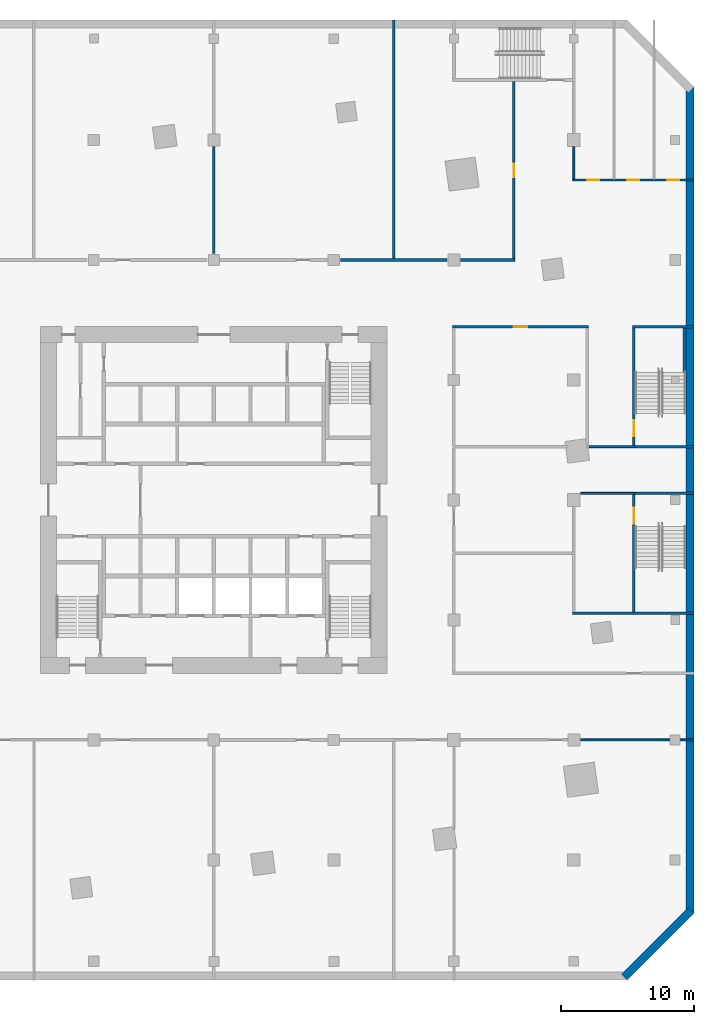
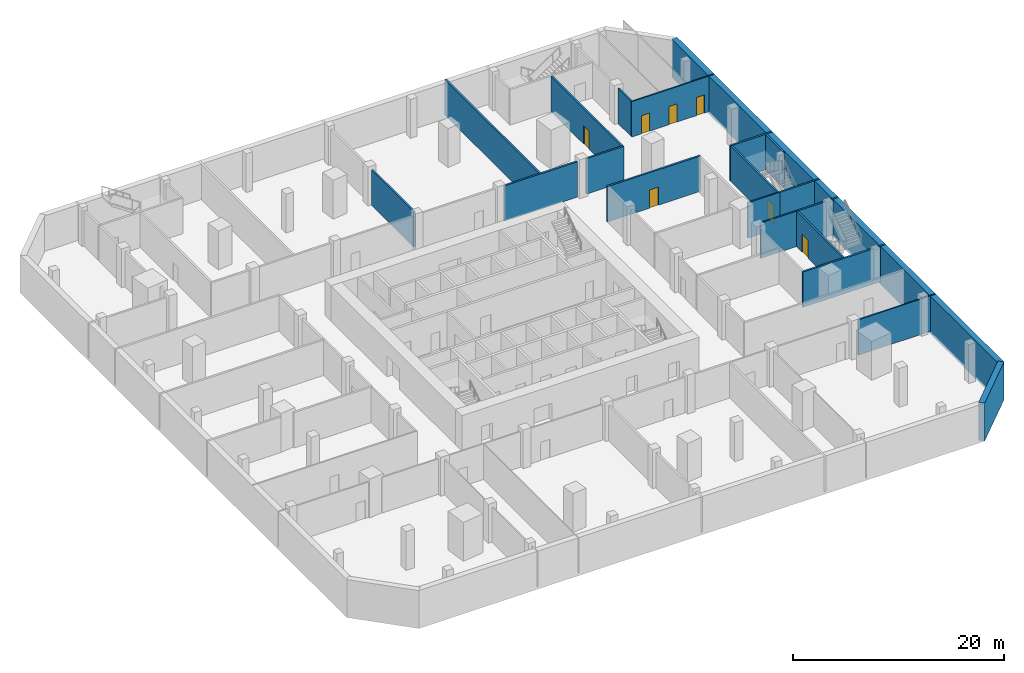
# One storey, part 6 of 11: 20 walls, 7 doors, 7 openings.
"""IFC4 building model written with IfcOpenShell, lengths in metres."""

from ifc_helpers import new_model, si_unit, direction, frame, frame_2d, origin, place, context, subcontext, project, spatial, rectangle, extrude, material, layer, layer_set, type_object, element, fill, save


model = new_model("IFC4")

# Units and contexts
model_context = context("Model", 3, precision=1e-05, world=origin(), true_north=direction((0.0, 1.0)))
body_context = subcontext(model_context, "Body", "Model", "MODEL_VIEW")
ifc_project = project(units=[si_unit("LENGTHUNIT", "METRE"), si_unit("AREAUNIT", "SQUARE_METRE"), si_unit("VOLUMEUNIT", "CUBIC_METRE"), si_unit("PLANEANGLEUNIT", "RADIAN"), si_unit("MASSUNIT", "GRAM", prefix="KILO")], contexts=[model_context])

# Site, building, storey
site_placement = place(None, origin())
site = spatial("IfcSite", under=ifc_project, at=site_placement, CompositionType="ELEMENT")
building_placement = place(site_placement, origin())
building = spatial("IfcBuilding", under=site, at=building_placement, Name="Dilmun Exchange Tower", CompositionType="ELEMENT")
storey_placement = place(building_placement, frame((0.0, 0.0, -4.5)))
storey = spatial("IfcBuildingStorey", under=building, at=storey_placement, Name="B1", CompositionType="ELEMENT", Elevation=-4.5)

# Walls
ifc_material_1 = material(Name="Fire partition EI 60 150 gypsum")
ifc_layer_1 = layer(ifc_material_1, 0.14990234375)
ifc_layer_set_1 = layer_set([ifc_layer_1], Name="Fire partition EI 60 150 gypsum")
wall_type_1 = type_object("IfcWallType", Name="Fire partition EI 60 150 gypsum", PredefinedType="PARTITIONING", material=ifc_layer_set_1)
wall_1_placement = place(storey_placement, frame((27.5, -18.0, 0.0), z_axis=(0.0, 0.0, 1.0), x_axis=(1.0, 0.0, 0.0)))
element("IfcWall", 1, at=wall_1_placement, inside=storey, type_object=wall_type_1, Name="B1 partition", PredefinedType="PARTITIONING", context=body_context, shape_type="SweptSolid", body=[
    extrude(rectangle(XDim=8.5, YDim=0.14990234375, at=frame_2d((4.25, 0.0))), origin(), (0.0, 0.0, 1.0), 4.10009765625),
])
wall_2_placement = place(storey_placement, frame((27.5, 0.5, 0.0), z_axis=(0.0, 0.0, 1.0), x_axis=(1.0, 0.0, 0.0)))
element("IfcWall", 2, at=wall_2_placement, inside=storey, type_object=wall_type_1, Name="B1 partition", PredefinedType="PARTITIONING", context=body_context, shape_type="SweptSolid", body=[
    extrude(rectangle(XDim=4.10009765625, YDim=0.14990234375, at=frame_2d((2.050048828125, 0.0))), origin(), (0.0, 0.0, 1.0), 4.10009765625),
])
wall_3_placement = place(storey_placement, frame((28.10009765625, 4.0, 0.0), z_axis=(0.0, 0.0, 1.0), x_axis=(1.0, 0.0, 0.0)))
element("IfcWall", 3, at=wall_3_placement, inside=storey, type_object=wall_type_1, Name="B1 partition", PredefinedType="PARTITIONING", context=body_context, shape_type="SweptSolid", body=[
    extrude(rectangle(XDim=3.5, YDim=0.14990234375, at=frame_2d((1.75, 0.0))), origin(), (0.0, 0.0, 1.0), 4.10009765625),
])

# Wall, openings, doors
wall_4_placement = place(storey_placement, frame((26.925048828125, 24.0, 0.0), z_axis=(0.0, 0.0, 1.0), x_axis=(1.0, 0.0, 0.0)))
wall_4 = element("IfcWall", 4, at=wall_4_placement, inside=storey, type_object=wall_type_1, Name="B1 partition", PredefinedType="PARTITIONING", context=body_context, shape_type="SweptSolid", body=[
    extrude(rectangle(XDim=9.074951171875, YDim=0.14990234375, at=frame_2d((4.53759765625, 0.0))), origin(), (0.0, 0.0, 1.0), 4.10009765625),
])
opening_1_placement = place(wall_4_placement, frame((1.074951171875, 0.0, 0.0)))
opening_1 = element("IfcOpeningElement", 5, at=opening_1_placement, cuts=wall_4, Name="Opening B1-D005", PredefinedType="OPENING", context=body_context, shape_type="SweptSolid", body=[
    extrude(rectangle(XDim=0.89990234375, YDim=2.10009765625, at=frame_2d((0.449951171875, 1.050048828125))), frame((0.0, 0.0849609375, 0.0), z_axis=(0.0, -1.0, 0.0), x_axis=(1.0, 0.0, 0.0)), (0.0, 0.0, 1.0), 0.169921875),
])
opening_2_placement = place(wall_4_placement, frame((4.074951171875, 0.0, 0.0)))
opening_2 = element("IfcOpeningElement", 6, at=opening_2_placement, cuts=wall_4, Name="Opening B1-D006", PredefinedType="OPENING", context=body_context, shape_type="SweptSolid", body=[
    extrude(rectangle(XDim=0.89990234375, YDim=2.10009765625, at=frame_2d((0.449951171875, 1.050048828125))), frame((0.0, 0.0849609375, 0.0), z_axis=(0.0, -1.0, 0.0), x_axis=(1.0, 0.0, 0.0)), (0.0, 0.0, 1.0), 0.169921875),
])
opening_3_placement = place(wall_4_placement, frame((7.074951171875, 0.0, 0.0)))
opening_3 = element("IfcOpeningElement", 7, at=opening_3_placement, cuts=wall_4, Name="Opening B1-D007", PredefinedType="OPENING", context=body_context, shape_type="SweptSolid", body=[
    extrude(rectangle(XDim=0.89990234375, YDim=2.10009765625, at=frame_2d((0.449951171875, 1.050048828125))), frame((0.0, 0.0849609375, 0.0), z_axis=(0.0, -1.0, 0.0), x_axis=(1.0, 0.0, 0.0)), (0.0, 0.0, 1.0), 0.169921875),
])
ifc_material_2 = material(Name="Door 900 x 2100")
door_type_1 = type_object("IfcDoorType", Name="Door 900 x 2100", OperationType="SINGLE_SWING_LEFT", PredefinedType="DOOR", material=ifc_material_2)
door_1_placement = place(opening_1_placement, origin())
door_1 = element("IfcDoor", 8, at=door_1_placement, inside=storey, type_object=door_type_1, Name="B1 door B1-D005", OperationType="SINGLE_SWING_LEFT", OverallHeight=2.10009765625, OverallWidth=0.89990234375, PredefinedType="DOOR", context=body_context, shape_type="SweptSolid", body=[
    extrude(rectangle(XDim=0.89990234375, YDim=2.10009765625, at=frame_2d((0.449951171875, 1.050048828125))), frame((0.0, 0.02490234375, 0.0), z_axis=(0.0, -1.0, 0.0), x_axis=(1.0, 0.0, 0.0)), (0.0, 0.0, 1.0), 0.050048828125),
])
fill(opening_1, door_1)
door_2_placement = place(opening_2_placement, origin())
door_2 = element("IfcDoor", 9, at=door_2_placement, inside=storey, type_object=door_type_1, Name="B1 door B1-D006", OperationType="SINGLE_SWING_RIGHT", OverallHeight=2.10009765625, OverallWidth=0.89990234375, PredefinedType="DOOR", context=body_context, shape_type="SweptSolid", body=[
    extrude(rectangle(XDim=0.89990234375, YDim=2.10009765625, at=frame_2d((0.449951171875, 1.050048828125))), frame((0.0, 0.02490234375, 0.0), z_axis=(0.0, -1.0, 0.0), x_axis=(1.0, 0.0, 0.0)), (0.0, 0.0, 1.0), 0.050048828125),
])
fill(opening_2, door_2)
door_3_placement = place(opening_3_placement, origin())
door_3 = element("IfcDoor", 10, at=door_3_placement, inside=storey, type_object=door_type_1, Name="B1 door B1-D007", OperationType="SINGLE_SWING_LEFT", OverallHeight=2.10009765625, OverallWidth=0.89990234375, PredefinedType="DOOR", context=body_context, shape_type="SweptSolid", body=[
    extrude(rectangle(XDim=0.89990234375, YDim=2.10009765625, at=frame_2d((0.449951171875, 1.050048828125))), frame((0.0, 0.02490234375, 0.0), z_axis=(0.0, -1.0, 0.0), x_axis=(1.0, 0.0, 0.0)), (0.0, 0.0, 1.0), 0.050048828125),
])
fill(opening_3, door_3)

# Walls
wall_5_placement = place(storey_placement, frame((27.0, 24.074951171875, 0.0), z_axis=(0.0, 0.0, 1.0), x_axis=(0.0, 1.0, 0.0)))
element("IfcWall", 11, at=wall_5_placement, inside=storey, type_object=wall_type_1, Name="B1 partition", PredefinedType="PARTITIONING", context=body_context, shape_type="SweptSolid", body=[
    extrude(rectangle(XDim=2.425048828125, YDim=0.14990234375, at=frame_2d((1.21240234375, 0.0))), origin(), (0.0, 0.0, 1.0), 4.10009765625),
])
ifc_material_3 = material(Name="Fire wall EI 120 200 blockwork", Category="masonry")
ifc_layer_2 = layer(ifc_material_3, 0.199951171875)
ifc_layer_set_2 = layer_set([ifc_layer_2], Name="Fire wall EI 120 200 blockwork")
wall_type_2 = type_object("IfcWallType", Name="Fire wall EI 120 200 blockwork", PredefinedType="PARTITIONING", material=ifc_layer_set_2)
wall_6_placement = place(storey_placement, frame((26.89990234375, -8.5, 0.0), z_axis=(0.0, 0.0, 1.0), x_axis=(1.0, 0.0, 0.0)))
element("IfcWall", 12, at=wall_6_placement, inside=storey, type_object=wall_type_2, Name="B1 stair wall", PredefinedType="PARTITIONING", context=body_context, shape_type="SweptSolid", body=[
    extrude(rectangle(XDim=9.10009765625, YDim=0.199951171875, at=frame_2d((4.550048828125, 0.0))), origin(), (0.0, 0.0, 1.0), 4.10009765625),
])
for number, where, z_axis, x_axis, name in (
    (13, (31.60009765625, 0.5, 0.0), (0.0, 0.0, 1.0), (1.0, 0.0, 0.0), "B1 stair wall"),
    (14, (31.60009765625, 4.0, 0.0), (0.0, 0.0, 1.0), (1.0, 0.0, 0.0), "B1 stair wall"),
):
    element("IfcWall", number, at=place(storey_placement, frame(where, z_axis=z_axis, x_axis=x_axis)), inside=storey, type_object=wall_type_2, Name=name, PredefinedType="PARTITIONING", context=body_context, shape_type="SweptSolid", body=[
        extrude(rectangle(XDim=4.39990234375, YDim=0.199951171875, at=frame_2d((2.199951171875, 0.0))), origin(), (0.0, 0.0, 1.0), 4.10009765625),
    ])

# Wall, opening, door
wall_7_placement = place(storey_placement, frame((17.89990234375, 13.0, 0.0), z_axis=(0.0, 0.0, 1.0), x_axis=(1.0, 0.0, 0.0)))
wall_7 = element("IfcWall", 15, at=wall_7_placement, inside=storey, type_object=wall_type_2, Name="B1 partition", PredefinedType="PARTITIONING", context=body_context, shape_type="SweptSolid", body=[
    extrude(rectangle(XDim=10.2001953125, YDim=0.199951171875, at=frame_2d((5.10009765625, 0.0))), origin(), (0.0, 0.0, 1.0), 4.10009765625),
])
opening_4_placement = place(wall_7_placement, frame((4.60009765625, 0.0, 0.0)))
opening_4 = element("IfcOpeningElement", 16, at=opening_4_placement, cuts=wall_7, Name="Opening B1-D022", PredefinedType="OPENING", context=body_context, shape_type="SweptSolid", body=[
    extrude(rectangle(XDim=1.0, YDim=2.10009765625, at=frame_2d((0.5, 1.050048828125))), frame((0.0, 0.10986328125, 0.0), z_axis=(0.0, -1.0, 0.0), x_axis=(1.0, 0.0, 0.0)), (0.0, 0.0, 1.0), 0.219970703125),
])
ifc_material_4 = material(Name="Fire door FD60 1000 x 2100")
door_type_2 = type_object("IfcDoorType", Name="Fire door FD60 1000 x 2100", OperationType="SINGLE_SWING_LEFT", PredefinedType="DOOR", material=ifc_material_4)
door_4_placement = place(opening_4_placement, origin())
door_4 = element("IfcDoor", 17, at=door_4_placement, inside=storey, type_object=door_type_2, Name="B1 door B1-D022", OperationType="SINGLE_SWING_RIGHT", OverallHeight=2.10009765625, OverallWidth=1.0, PredefinedType="DOOR", context=body_context, shape_type="SweptSolid", body=[
    extrude(rectangle(XDim=1.0, YDim=2.10009765625, at=frame_2d((0.5, 1.050048828125))), frame((0.0, 0.02490234375, 0.0), z_axis=(0.0, -1.0, 0.0), x_axis=(1.0, 0.0, 0.0)), (0.0, 0.0, 1.0), 0.050048828125),
])
fill(opening_4, door_4)

# Walls
wall_8_placement = place(storey_placement, frame((31.39990234375, 13.0, 0.0), z_axis=(0.0, 0.0, 1.0), x_axis=(1.0, 0.0, 0.0)))
element("IfcWall", 18, at=wall_8_placement, inside=storey, type_object=wall_type_2, Name="B1 stair wall", PredefinedType="PARTITIONING", context=body_context, shape_type="SweptSolid", body=[
    extrude(rectangle(XDim=4.60009765625, YDim=0.199951171875, at=frame_2d((2.300048828125, 0.0))), origin(), (0.0, 0.0, 1.0), 4.10009765625),
])
wall_9_placement = place(storey_placement, frame((9.5, 18.0, 0.0), z_axis=(0.0, 0.0, 1.0), x_axis=(1.0, 0.0, 0.0)))
element("IfcWall", 19, at=wall_9_placement, inside=storey, type_object=wall_type_2, Name="B1 partition", PredefinedType="PARTITIONING", context=body_context, shape_type="SweptSolid", body=[
    extrude(rectangle(XDim=8.0, YDim=0.199951171875, at=frame_2d((4.0, 0.0))), origin(), (0.0, 0.0, 1.0), 4.10009765625),
])
wall_10_placement = place(storey_placement, frame((18.5, 18.0, 0.0), z_axis=(0.0, 0.0, 1.0), x_axis=(1.0, 0.0, 0.0)))
element("IfcWall", 20, at=wall_10_placement, inside=storey, type_object=wall_type_2, Name="B1 partition", PredefinedType="PARTITIONING", context=body_context, shape_type="SweptSolid", body=[
    extrude(rectangle(XDim=4.10009765625, YDim=0.199951171875, at=frame_2d((2.050048828125, 0.0))), origin(), (0.0, 0.0, 1.0), 4.10009765625),
])
wall_11_placement = place(storey_placement, frame((0.0, 18.5, 0.0), z_axis=(0.0, 0.0, 1.0), x_axis=(0.0, 1.0, 0.0)))
element("IfcWall", 21, at=wall_11_placement, inside=storey, type_object=wall_type_2, Name="B1 partition", PredefinedType="PARTITIONING", context=body_context, shape_type="SweptSolid", body=[
    extrude(rectangle(XDim=8.0, YDim=0.199951171875, at=frame_2d((4.0, 0.0))), origin(), (0.0, 0.0, 1.0), 4.10009765625),
])
wall_12_placement = place(storey_placement, frame((13.5, 18.10009765625, 0.0), z_axis=(0.0, 0.0, 1.0), x_axis=(0.0, 1.0, 0.0)))
element("IfcWall", 22, at=wall_12_placement, inside=storey, type_object=wall_type_2, Name="B1 partition", PredefinedType="PARTITIONING", context=body_context, shape_type="SweptSolid", body=[
    extrude(rectangle(XDim=17.89990234375, YDim=0.199951171875, at=frame_2d((8.949951171875, 0.0))), origin(), (0.0, 0.0, 1.0), 4.10009765625),
])

# Wall, opening, door
wall_13_placement = place(storey_placement, frame((22.5, 18.10009765625, 0.0), z_axis=(0.0, 0.0, 1.0), x_axis=(0.0, 1.0, 0.0)))
wall_13 = element("IfcWall", 23, at=wall_13_placement, inside=storey, type_object=wall_type_2, Name="B1 partition", PredefinedType="PARTITIONING", context=body_context, shape_type="SweptSolid", body=[
    extrude(rectangle(XDim=13.2998046875, YDim=0.199951171875, at=frame_2d((6.64990234375, 0.0))), origin(), (0.0, 0.0, 1.0), 4.10009765625),
])
opening_5_placement = place(wall_13_placement, frame((6.10009765625, 0.0, 0.0)))
opening_5 = element("IfcOpeningElement", 24, at=opening_5_placement, cuts=wall_13, Name="Opening B1-D024", PredefinedType="OPENING", context=body_context, shape_type="SweptSolid", body=[
    extrude(rectangle(XDim=1.0, YDim=2.10009765625, at=frame_2d((0.5, 1.050048828125))), frame((0.0, 0.10986328125, 0.0), z_axis=(0.0, -1.0, 0.0), x_axis=(1.0, 0.0, 0.0)), (0.0, 0.0, 1.0), 0.219970703125),
])
door_5_placement = place(opening_5_placement, origin())
door_5 = element("IfcDoor", 25, at=door_5_placement, inside=storey, type_object=door_type_2, Name="B1 door B1-D024", OperationType="SINGLE_SWING_RIGHT", OverallHeight=2.10009765625, OverallWidth=1.0, PredefinedType="DOOR", context=body_context, shape_type="SweptSolid", body=[
    extrude(rectangle(XDim=1.0, YDim=2.10009765625, at=frame_2d((0.5, 1.050048828125))), frame((0.0, 0.02490234375, 0.0), z_axis=(0.0, -1.0, 0.0), x_axis=(1.0, 0.0, 0.0)), (0.0, 0.0, 1.0), 0.050048828125),
])
fill(opening_5, door_5)

wall_14_placement = place(storey_placement, frame((31.5, -8.39990234375, 0.0), z_axis=(0.0, 0.0, 1.0), x_axis=(0.0, 1.0, 0.0)))
wall_14 = element("IfcWall", 26, at=wall_14_placement, inside=storey, type_object=wall_type_2, Name="B1 stair wall", PredefinedType="PARTITIONING", context=body_context, shape_type="SweptSolid", body=[
    extrude(rectangle(XDim=8.824951171875, YDim=0.199951171875, at=frame_2d((4.41259765625, 0.0))), origin(), (0.0, 0.0, 1.0), 4.10009765625),
])
opening_6_placement = place(wall_14_placement, frame((6.60009765625, 0.0, 0.0)))
opening_6 = element("IfcOpeningElement", 27, at=opening_6_placement, cuts=wall_14, Name="Opening B1-D003", PredefinedType="OPENING", context=body_context, shape_type="SweptSolid", body=[
    extrude(rectangle(XDim=1.199951171875, YDim=2.10009765625, at=frame_2d((0.60009765625, 1.050048828125))), frame((0.0, 0.10986328125, 0.0), z_axis=(0.0, -1.0, 0.0), x_axis=(1.0, 0.0, 0.0)), (0.0, 0.0, 1.0), 0.219970703125),
])
ifc_material_5 = material(Name="Stair door FD90 1200 x 2100")
door_type_3 = type_object("IfcDoorType", Name="Stair door FD90 1200 x 2100", OperationType="SINGLE_SWING_LEFT", PredefinedType="DOOR", material=ifc_material_5)
door_6_placement = place(opening_6_placement, frame((1.199951171875, 0.0, 0.0), z_axis=(0.0, 0.0, 1.0), x_axis=(-1.0, 0.0, 0.0)))
door_6 = element("IfcDoor", 28, at=door_6_placement, inside=storey, type_object=door_type_3, Name="B1 door B1-D003", OperationType="SINGLE_SWING_LEFT", OverallHeight=2.10009765625, OverallWidth=1.199951171875, PredefinedType="DOOR", context=body_context, shape_type="SweptSolid", body=[
    extrude(rectangle(XDim=1.199951171875, YDim=2.10009765625, at=frame_2d((0.60009765625, 1.050048828125))), frame((0.0, 0.02490234375, 0.0), z_axis=(0.0, -1.0, 0.0), x_axis=(1.0, 0.0, 0.0)), (0.0, 0.0, 1.0), 0.050048828125),
])
fill(opening_6, door_6)

wall_15_placement = place(storey_placement, frame((31.5, 4.10009765625, 0.0), z_axis=(0.0, 0.0, 1.0), x_axis=(0.0, 1.0, 0.0)))
wall_15 = element("IfcWall", 29, at=wall_15_placement, inside=storey, type_object=wall_type_2, Name="B1 stair wall", PredefinedType="PARTITIONING", context=body_context, shape_type="SweptSolid", body=[
    extrude(rectangle(XDim=8.7998046875, YDim=0.199951171875, at=frame_2d((4.39990234375, 0.0))), origin(), (0.0, 0.0, 1.0), 4.10009765625),
])
opening_7_placement = place(wall_15_placement, frame((0.699951171875, 0.0, 0.0)))
opening_7 = element("IfcOpeningElement", 30, at=opening_7_placement, cuts=wall_15, Name="Opening B1-D004", PredefinedType="OPENING", context=body_context, shape_type="SweptSolid", body=[
    extrude(rectangle(XDim=1.199951171875, YDim=2.10009765625, at=frame_2d((0.60009765625, 1.050048828125))), frame((0.0, 0.10986328125, 0.0), z_axis=(0.0, -1.0, 0.0), x_axis=(1.0, 0.0, 0.0)), (0.0, 0.0, 1.0), 0.219970703125),
])
door_7_placement = place(opening_7_placement, frame((1.199951171875, 0.0, 0.0), z_axis=(0.0, 0.0, 1.0), x_axis=(-1.0, 0.0, 0.0)))
door_7 = element("IfcDoor", 31, at=door_7_placement, inside=storey, type_object=door_type_3, Name="B1 door B1-D004", OperationType="SINGLE_SWING_RIGHT", OverallHeight=2.10009765625, OverallWidth=1.199951171875, PredefinedType="DOOR", context=body_context, shape_type="SweptSolid", body=[
    extrude(rectangle(XDim=1.199951171875, YDim=2.10009765625, at=frame_2d((0.60009765625, 1.050048828125))), frame((0.0, 0.02490234375, 0.0), z_axis=(0.0, -1.0, 0.0), x_axis=(1.0, 0.0, 0.0)), (0.0, 0.0, 1.0), 0.050048828125),
])
fill(opening_7, door_7)

# Walls
wall_16_placement = place(storey_placement, frame((35.298095703125, 9.58056640625, 0.0), z_axis=(0.0, 0.0, 1.0), x_axis=(0.0, 1.0, 0.0)))
element("IfcWall", 32, at=wall_16_placement, inside=storey, type_object=wall_type_2, Name="B1 stair landing wall", PredefinedType="PARTITIONING", context=body_context, shape_type="SweptSolid", body=[
    extrude(rectangle(XDim=3.309326171875, YDim=0.199951171875, at=frame_2d((1.65478515625, 0.0))), origin(), (0.0, 0.0, 1.0), 4.10009765625),
])
ifc_material_6 = material(Name="Concrete C40/50", Category="concrete")
ifc_layer_3 = layer(ifc_material_6, 0.60009765625)
ifc_layer_set_3 = layer_set([ifc_layer_3], Name="Concrete C40/50")
wall_type_3 = type_object("IfcWallType", Name="RC basement wall 600", PredefinedType="SOLIDWALL", material=ifc_layer_set_3)
wall_17_placement = place(storey_placement, frame((30.787841796875, -35.787841796875, -0.300048828125), z_axis=(0.0, 0.0, 1.0), x_axis=(0.707106781187, 0.707106781187, 0.0)))
element("IfcWall", 33, at=wall_17_placement, inside=storey, type_object=wall_type_3, Name="Basement retaining wall", PredefinedType="SOLIDWALL", context=body_context, shape_type="SweptSolid", body=[
    extrude(rectangle(XDim=7.071044921875, YDim=0.60009765625, at=frame_2d((3.53564453125, 0.0))), origin(), (0.0, 0.0, 1.0), 4.400146484375),
])
wall_18_placement = place(storey_placement, frame((35.699951171875, -31.0, -0.300048828125), z_axis=(0.0, 0.0, 1.0), x_axis=(0.0, 1.0, 0.0)))
element("IfcWall", 34, at=wall_18_placement, inside=storey, type_object=wall_type_3, Name="Basement retaining wall", PredefinedType="SOLIDWALL", context=body_context, shape_type="SweptSolid", body=[
    extrude(rectangle(XDim=62.0, YDim=0.60009765625, at=frame_2d((31.0, 0.0))), origin(), (0.0, 0.0, 1.0), 4.400146484375),
])

save(model, "model.ifc")
